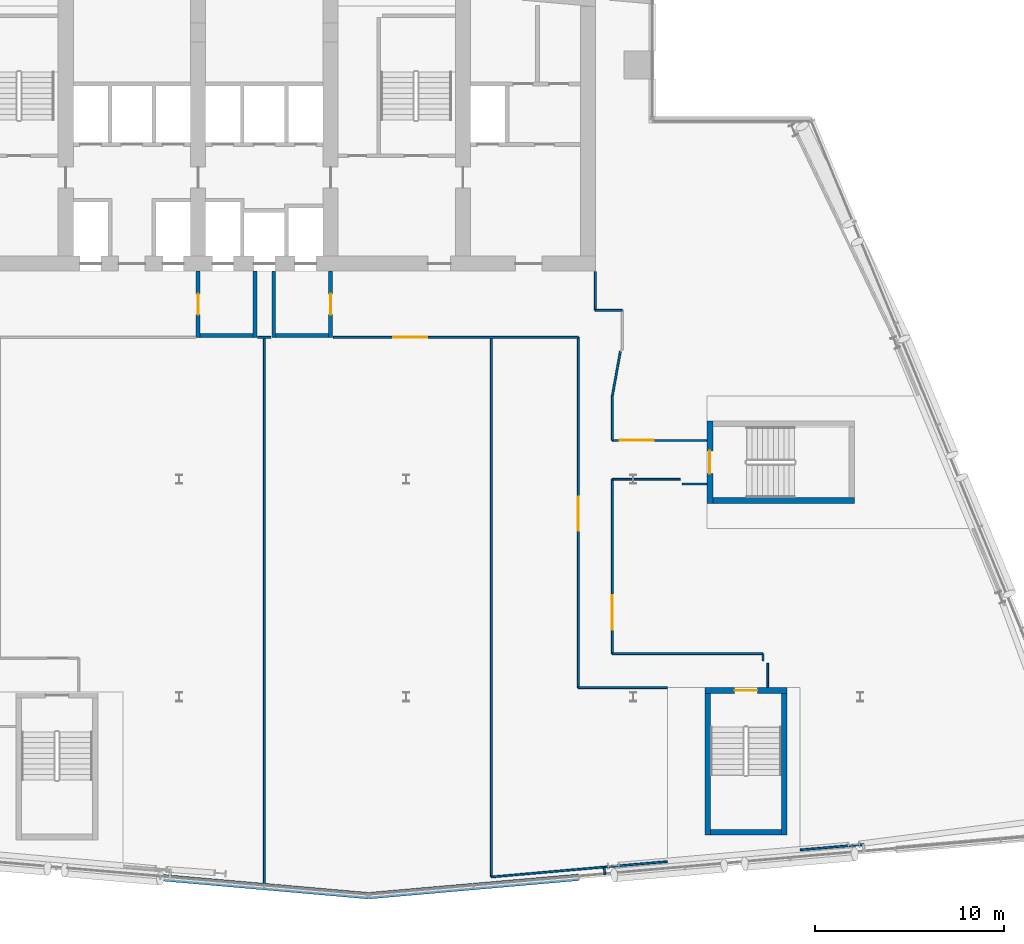
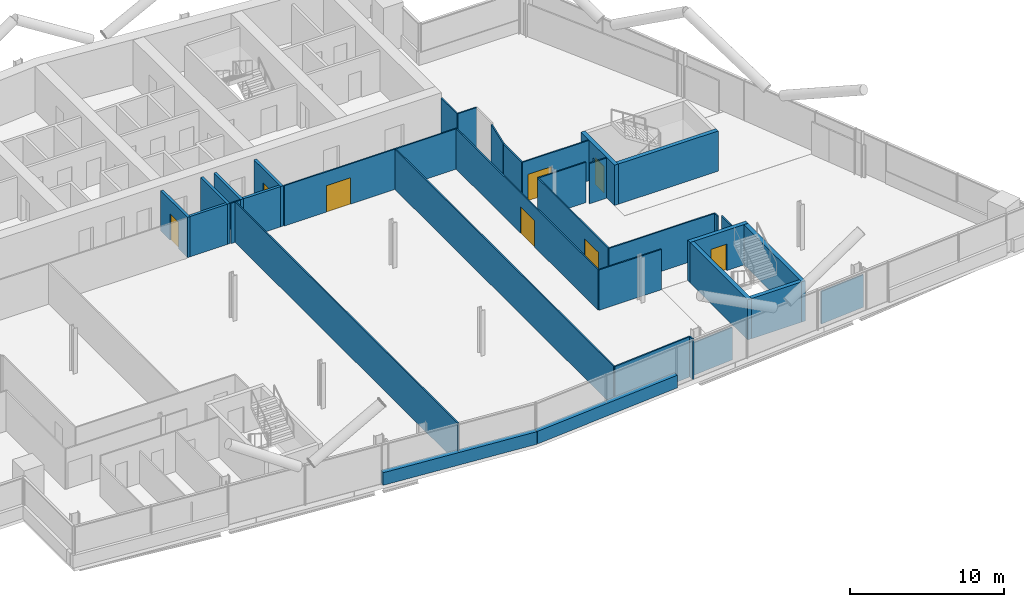
# One storey, part 15 of 26: 35 walls, 8 doors, 8 openings.
"""IFC4 building model written with IfcOpenShell, lengths in metres."""

from ifc_helpers import new_model, si_unit, direction, frame, frame_2d, origin, place, context, subcontext, project, spatial, rectangle, extrude, material, layer, layer_set, type_object, element, fill, save


model = new_model("IFC4")

# Units and contexts
model_context = context("Model", 3, precision=1e-05, world=origin(), true_north=direction((0.0, 1.0)))
body_context = subcontext(model_context, "Body", "Model", "MODEL_VIEW")
ifc_project = project(units=[si_unit("LENGTHUNIT", "METRE"), si_unit("AREAUNIT", "SQUARE_METRE"), si_unit("VOLUMEUNIT", "CUBIC_METRE"), si_unit("PLANEANGLEUNIT", "RADIAN"), si_unit("MASSUNIT", "GRAM", prefix="KILO")], contexts=[model_context])

# Site, building, storey
site_placement = place(None, origin())
site = spatial("IfcSite", under=ifc_project, at=site_placement, CompositionType="ELEMENT")
building_placement = place(site_placement, origin())
building = spatial("IfcBuilding", under=site, at=building_placement, Name="Wharfspan Tower", CompositionType="ELEMENT")
storey_placement = place(building_placement, frame((0.0, 0.0, 180.699951)))
storey = spatial("IfcBuildingStorey", under=building, at=storey_placement, Name="L44", CompositionType="ELEMENT", Elevation=180.699951)

# Walls
ifc_material_1 = material(Name="Gypsum board on steel studs", Category="steel")
ifc_layer_1 = layer(ifc_material_1, 0.100098)
ifc_layer_set_1 = layer_set([ifc_layer_1], Name="Gypsum board on steel studs")
wall_type_1 = type_object("IfcWallType", Name="Compartment wall 100 EI 60", PredefinedType="PARTITIONING", material=ifc_layer_set_1)
wall_1_placement = place(storey_placement, frame((40.5, 1.489258, 0.0), z_axis=(0.0, 0.0, 1.0), x_axis=(0.0, 1.0, 0.0)))
element("IfcWall", 1, at=wall_1_placement, inside=storey, type_object=wall_type_1, Name="Partition L44.w025", PredefinedType="PARTITIONING", context=body_context, shape_type="SweptSolid", body=[
    extrude(rectangle(XDim=29.010742, YDim=0.100098, at=frame_2d((14.505371, 0.0))), origin(), (0.0, 0.0, 1.0), 3.199951),
])
wall_2_placement = place(storey_placement, frame((52.5, 1.97998, 0.0), z_axis=(0.0, 0.0, 1.0), x_axis=(0.0, 1.0, 0.0)))
element("IfcWall", 2, at=wall_2_placement, inside=storey, type_object=wall_type_1, Name="Partition L44.w026", PredefinedType="PARTITIONING", context=body_context, shape_type="SweptSolid", body=[
    extrude(rectangle(XDim=28.52002, YDim=0.100098, at=frame_2d((14.26001, 0.0))), origin(), (0.0, 0.0, 1.0), 3.199951),
])

# Wall, opening, door
wall_3_placement = place(storey_placement, frame((57.100098, 11.985107, 0.0), z_axis=(0.0, 0.0, 1.0), x_axis=(0.0, 1.0, 0.0)))
wall_3 = element("IfcWall", 3, at=wall_3_placement, inside=storey, type_object=wall_type_1, Name="Partition L44.w029", PredefinedType="PARTITIONING", context=body_context, shape_type="SweptSolid", body=[
    extrude(rectangle(XDim=18.514893, YDim=0.100098, at=frame_2d((9.257324, 0.0))), origin(), (0.0, 0.0, 1.0), 3.199951),
])
opening_1_placement = place(wall_3_placement, frame((8.294922, 0.0, 0.0)))
opening_1 = element("IfcOpeningElement", 4, at=opening_1_placement, cuts=wall_3, Name="Opening C4-08", PredefinedType="OPENING", context=body_context, shape_type="SweptSolid", body=[
    extrude(rectangle(XDim=1.800049, YDim=2.100098, at=frame_2d((0.899902, 1.050049))), frame((0.0, 0.060059, 0.0), z_axis=(0.0, -1.0, 0.0), x_axis=(1.0, 0.0, 0.0)), (0.0, 0.0, 1.0), 0.120117),
])
ifc_material_2 = material(Name="Fire-rated timber door leaf in steel frame", Category="steel")
door_type_1 = type_object("IfcDoorType", Name="Door 1800 FD30S Double", OperationType="DOUBLE_DOOR_SINGLE_SWING", PredefinedType="DOOR", material=ifc_material_2)
door_1_placement = place(opening_1_placement, origin())
door_1 = element("IfcDoor", 5, at=door_1_placement, inside=storey, type_object=door_type_1, Name="Door C4-08", OperationType="DOUBLE_DOOR_SINGLE_SWING", OverallHeight=2.100098, OverallWidth=1.800049, PredefinedType="DOOR", context=body_context, shape_type="SweptSolid", body=[
    extrude(rectangle(XDim=1.800049, YDim=2.100098, at=frame_2d((0.899902, 1.050049))), frame((0.0, 0.024902, 0.0), z_axis=(0.0, -1.0, 0.0), x_axis=(1.0, 0.0, 0.0)), (0.0, 0.0, 1.0), 0.050049),
])
fill(opening_1, door_1)

# Walls
wall_4_placement = place(storey_placement, frame((57.100098, 11.985107, 0.0), z_axis=(0.0, 0.0, 1.0), x_axis=(1.0, 0.0, 0.0)))
element("IfcWall", 6, at=wall_4_placement, inside=storey, type_object=wall_type_1, Name="Partition L44.w030", PredefinedType="PARTITIONING", context=body_context, shape_type="SweptSolid", body=[
    extrude(rectangle(XDim=4.691406, YDim=0.100098, at=frame_2d((2.345703, 0.0))), origin(), (0.0, 0.0, 1.0), 3.199951),
])
wall_5_placement = place(storey_placement, frame((58.0, 31.925049, 0.0), z_axis=(0.0, 0.0, 1.0), x_axis=(0.0, 1.0, 0.0)))
element("IfcWall", 7, at=wall_5_placement, inside=storey, type_object=wall_type_1, Name="Partition L44.w031", PredefinedType="PARTITIONING", context=body_context, shape_type="SweptSolid", body=[
    extrude(rectangle(XDim=2.054932, YDim=0.100098, at=frame_2d((1.027344, 0.0))), origin(), (0.0, 0.0, 1.0), 3.199951),
])
wall_6_placement = place(storey_placement, frame((58.0, 31.925049, 0.0), z_axis=(0.0, 0.0, 1.0), x_axis=(1.0, 0.0, 0.0)))
element("IfcWall", 8, at=wall_6_placement, inside=storey, type_object=wall_type_1, Name="Partition L44.w032", PredefinedType="PARTITIONING", context=body_context, shape_type="SweptSolid", body=[
    extrude(rectangle(XDim=1.425049, YDim=0.100098, at=frame_2d((0.712402, 0.0))), origin(), (0.0, 0.0, 1.0), 3.199951),
])

# Wall, opening, door
wall_7_placement = place(storey_placement, frame((58.899902, 13.784912, 0.0), z_axis=(0.0, 0.0, 1.0), x_axis=(0.0, 1.0, 0.0)))
wall_7 = element("IfcWall", 9, at=wall_7_placement, inside=storey, type_object=wall_type_1, Name="Partition L44.w035", PredefinedType="PARTITIONING", context=body_context, shape_type="SweptSolid", body=[
    extrude(rectangle(XDim=9.215088, YDim=0.100098, at=frame_2d((4.607422, 0.0))), origin(), (0.0, 0.0, 1.0), 3.199951),
])
opening_2_placement = place(wall_7_placement, frame((1.27124, 0.0, 0.0)))
opening_2 = element("IfcOpeningElement", 10, at=opening_2_placement, cuts=wall_7, Name="Opening C4-07", PredefinedType="OPENING", context=body_context, shape_type="SweptSolid", body=[
    extrude(rectangle(XDim=1.800049, YDim=2.100098, at=frame_2d((0.899902, 1.050049))), frame((0.0, 0.060059, 0.0), z_axis=(0.0, -1.0, 0.0), x_axis=(1.0, 0.0, 0.0)), (0.0, 0.0, 1.0), 0.120117),
])
door_2_placement = place(opening_2_placement, origin())
door_2 = element("IfcDoor", 11, at=door_2_placement, inside=storey, type_object=door_type_1, Name="Door C4-07", OperationType="DOUBLE_DOOR_SINGLE_SWING", OverallHeight=2.100098, OverallWidth=1.800049, PredefinedType="DOOR", context=body_context, shape_type="SweptSolid", body=[
    extrude(rectangle(XDim=1.800049, YDim=2.100098, at=frame_2d((0.899902, 1.050049))), frame((0.0, 0.024902, 0.0), z_axis=(0.0, -1.0, 0.0), x_axis=(1.0, 0.0, 0.0)), (0.0, 0.0, 1.0), 0.050049),
])
fill(opening_2, door_2)

# Walls
wall_8_placement = place(storey_placement, frame((58.899902, 13.784912, 0.0), z_axis=(0.0, 0.0, 1.0), x_axis=(1.0, 0.0, 0.0)))
element("IfcWall", 12, at=wall_8_placement, inside=storey, type_object=wall_type_1, Name="Partition L44.w036", PredefinedType="PARTITIONING", context=body_context, shape_type="SweptSolid", body=[
    extrude(rectangle(XDim=7.960205, YDim=0.100098, at=frame_2d((3.97998, 0.0))), origin(), (0.0, 0.0, 1.0), 3.199951),
])
wall_9_placement = place(storey_placement, frame((58.899902, 23.0, 0.0), z_axis=(0.0, 0.0, 1.0), x_axis=(1.0, 0.0, 0.0)))
element("IfcWall", 13, at=wall_9_placement, inside=storey, type_object=wall_type_1, Name="Partition L44.w037", PredefinedType="PARTITIONING", context=body_context, shape_type="SweptSolid", body=[
    extrude(rectangle(XDim=3.585205, YDim=0.100098, at=frame_2d((1.79248, 0.0))), origin(), (0.0, 0.0, 1.0), 3.199951),
])
wall_10_placement = place(storey_placement, frame((58.899902, 25.050049, 0.0), z_axis=(0.0, 0.0, 1.0), x_axis=(0.0, 1.0, 0.0)))
element("IfcWall", 14, at=wall_10_placement, inside=storey, type_object=wall_type_1, Name="Partition L44.w038", PredefinedType="PARTITIONING", context=body_context, shape_type="SweptSolid", body=[
    extrude(rectangle(XDim=2.38501, YDim=0.100098, at=frame_2d((1.192383, 0.0))), origin(), (0.0, 0.0, 1.0), 3.199951),
])

# Wall, opening, door
wall_11_placement = place(storey_placement, frame((58.899902, 25.050049, 0.0), z_axis=(0.0, 0.0, 1.0), x_axis=(1.0, 0.0, 0.0)))
wall_11 = element("IfcWall", 15, at=wall_11_placement, inside=storey, type_object=wall_type_1, Name="Partition L44.w039", PredefinedType="PARTITIONING", context=body_context, shape_type="SweptSolid", body=[
    extrude(rectangle(XDim=4.984619, YDim=0.100098, at=frame_2d((2.492188, 0.0))), origin(), (0.0, 0.0, 1.0), 3.199951),
])
opening_3_placement = place(wall_11_placement, frame((0.38501, 0.0, 0.0)))
opening_3 = element("IfcOpeningElement", 16, at=opening_3_placement, cuts=wall_11, Name="Opening C4-09", PredefinedType="OPENING", context=body_context, shape_type="SweptSolid", body=[
    extrude(rectangle(XDim=1.800049, YDim=2.100098, at=frame_2d((0.899902, 1.050049))), frame((0.0, 0.060059, 0.0), z_axis=(0.0, -1.0, 0.0), x_axis=(1.0, 0.0, 0.0)), (0.0, 0.0, 1.0), 0.120117),
])
door_3_placement = place(opening_3_placement, origin())
door_3 = element("IfcDoor", 17, at=door_3_placement, inside=storey, type_object=door_type_1, Name="Door C4-09", OperationType="DOUBLE_DOOR_SINGLE_SWING", OverallHeight=2.100098, OverallWidth=1.800049, PredefinedType="DOOR", context=body_context, shape_type="SweptSolid", body=[
    extrude(rectangle(XDim=1.800049, YDim=2.100098, at=frame_2d((0.899902, 1.050049))), frame((0.0, 0.024902, 0.0), z_axis=(0.0, -1.0, 0.0), x_axis=(1.0, 0.0, 0.0)), (0.0, 0.0, 1.0), 0.050049),
])
fill(opening_3, door_3)

# Walls
wall_12_placement = place(storey_placement, frame((58.899902, 27.435059, 0.0), z_axis=(0.0, 0.0, 1.0), x_axis=(0.178584, 0.983924, 0.0)))
element("IfcWall", 18, at=wall_12_placement, inside=storey, type_object=wall_type_1, Name="Partition L44.w040", PredefinedType="PARTITIONING", context=body_context, shape_type="SweptSolid", body=[
    extrude(rectangle(XDim=2.352783, YDim=0.100098, at=frame_2d((1.17627, 0.0))), origin(), (0.0, 0.0, 1.0), 3.199951),
])
wall_13_placement = place(storey_placement, frame((62.60498, 22.75, 0.0), z_axis=(0.0, 0.0, 1.0), x_axis=(1.0, 0.0, 0.0)))
element("IfcWall", 19, at=wall_13_placement, inside=storey, type_object=wall_type_1, Name="Partition L44.w043", PredefinedType="PARTITIONING", context=body_context, shape_type="SweptSolid", body=[
    extrude(rectangle(XDim=1.279541, YDim=0.100098, at=frame_2d((0.639648, 0.0))), origin(), (0.0, 0.0, 1.0), 3.199951),
])
wall_14_placement = place(storey_placement, frame((66.860107, 13.405029, 0.0), z_axis=(0.0, 0.0, 1.0), x_axis=(0.0, 1.0, 0.0)))
element("IfcWall", 20, at=wall_14_placement, inside=storey, type_object=wall_type_1, Name="Partition L44.w044", PredefinedType="PARTITIONING", context=body_context, shape_type="SweptSolid", body=[
    extrude(rectangle(XDim=0.379883, YDim=0.100098, at=frame_2d((0.189941, 0.0))), origin(), (0.0, 0.0, 1.0), 3.199951),
])
wall_15_placement = place(storey_placement, frame((67.110107, 12.003662, 0.0), z_axis=(0.0, 0.0, 1.0), x_axis=(0.0, 1.0, 0.0)))
element("IfcWall", 21, at=wall_15_placement, inside=storey, type_object=wall_type_1, Name="Partition L44.w045", PredefinedType="PARTITIONING", context=body_context, shape_type="SweptSolid", body=[
    extrude(rectangle(XDim=1.28125, YDim=0.100098, at=frame_2d((0.640625, 0.0))), origin(), (0.0, 0.0, 1.0), 3.199951),
])
wall_16_placement = place(storey_placement, frame((40.149902, 30.5, 0.0), z_axis=(0.0, 0.0, 1.0), x_axis=(1.0, 0.0, 0.0)))
element("IfcWall", 22, at=wall_16_placement, inside=storey, type_object=wall_type_1, Name="Partition L44.w009 (2)", PredefinedType="PARTITIONING", context=body_context, shape_type="SweptSolid", body=[
    extrude(rectangle(XDim=0.700195, YDim=0.100098, at=frame_2d((0.350098, 0.0))), origin(), (0.0, 0.0, 1.0), 3.199951),
])

# Wall, opening, door
wall_17_placement = place(storey_placement, frame((44.149902, 30.5, 0.0), z_axis=(0.0, 0.0, 1.0), x_axis=(1.0, 0.0, 0.0)))
wall_17 = element("IfcWall", 23, at=wall_17_placement, inside=storey, type_object=wall_type_1, Name="Partition L44.w009 (3)", PredefinedType="PARTITIONING", context=body_context, shape_type="SweptSolid", body=[
    extrude(rectangle(XDim=12.950195, YDim=0.100098, at=frame_2d((6.475098, 0.0))), origin(), (0.0, 0.0, 1.0), 3.199951),
])
opening_4_placement = place(wall_17_placement, frame((3.169922, 0.0, 0.0)))
opening_4 = element("IfcOpeningElement", 24, at=opening_4_placement, cuts=wall_17, Name="Opening C4-11", PredefinedType="OPENING", context=body_context, shape_type="SweptSolid", body=[
    extrude(rectangle(XDim=1.800049, YDim=2.100098, at=frame_2d((0.899902, 1.050049))), frame((0.0, 0.060059, 0.0), z_axis=(0.0, -1.0, 0.0), x_axis=(1.0, 0.0, 0.0)), (0.0, 0.0, 1.0), 0.120117),
])
door_4_placement = place(opening_4_placement, origin())
door_4 = element("IfcDoor", 25, at=door_4_placement, inside=storey, type_object=door_type_1, Name="Door C4-11", OperationType="DOUBLE_DOOR_SINGLE_SWING", OverallHeight=2.100098, OverallWidth=1.800049, PredefinedType="DOOR", context=body_context, shape_type="SweptSolid", body=[
    extrude(rectangle(XDim=1.800049, YDim=2.100098, at=frame_2d((0.899902, 1.050049))), frame((0.0, 0.024902, 0.0), z_axis=(0.0, -1.0, 0.0), x_axis=(1.0, 0.0, 0.0)), (0.0, 0.0, 1.0), 0.050049),
])
fill(opening_4, door_4)

ifc_material_3 = material(Name="Concrete C30/37", Category="concrete")
ifc_layer_2 = layer(ifc_material_3, 0.199951)
ifc_layer_set_2 = layer_set([ifc_layer_2], Name="Concrete C30/37")
wall_type_2 = type_object("IfcWallType", Name="Lobby wall 200", PredefinedType="PARTITIONING", material=ifc_layer_set_2)
wall_18_placement = place(storey_placement, frame((37.0, 30.5, 0.0), z_axis=(0.0, 0.0, 1.0), x_axis=(0.0, 1.0, 0.0)))
wall_18 = element("IfcWall", 26, at=wall_18_placement, inside=storey, type_object=wall_type_2, Name="sw:L44:FLFF1W", PredefinedType="PARTITIONING", context=body_context, shape_type="SweptSolid", body=[
    extrude(rectangle(XDim=3.5, YDim=0.199951, at=frame_2d((1.75, 0.0))), origin(), (0.0, 0.0, 1.0), 3.199951),
])
opening_5_placement = place(wall_18_placement, frame((1.199951, 0.0, 0.0)))
opening_5 = element("IfcOpeningElement", 27, at=opening_5_placement, cuts=wall_18, Name="Opening FL.FF1.L44", PredefinedType="OPENING", context=body_context, shape_type="SweptSolid", body=[
    extrude(rectangle(XDim=1.100098, YDim=2.100098, at=frame_2d((0.550049, 1.050049))), frame((0.0, 0.109863, 0.0), z_axis=(0.0, -1.0, 0.0), x_axis=(1.0, 0.0, 0.0)), (0.0, 0.0, 1.0), 0.219971),
])
ifc_material_4 = material(Name="Steel door leaf", Category="steel")
door_type_2 = type_object("IfcDoorType", Name="Firefighting lobby door 1100x2100", OperationType="SINGLE_SWING_LEFT", PredefinedType="DOOR", material=ifc_material_4)
door_5_placement = place(opening_5_placement, origin())
door_5 = element("IfcDoor", 28, at=door_5_placement, inside=storey, type_object=door_type_2, Name="fd:L44:FF1", OperationType="SINGLE_SWING_LEFT", OverallHeight=2.100098, OverallWidth=1.100098, PredefinedType="DOOR", context=body_context, shape_type="SweptSolid", body=[
    extrude(rectangle(XDim=1.100098, YDim=2.100098, at=frame_2d((0.550049, 1.050049))), frame((0.0, 0.024902, 0.0), z_axis=(0.0, -1.0, 0.0), x_axis=(1.0, 0.0, 0.0)), (0.0, 0.0, 1.0), 0.050049),
])
fill(opening_5, door_5)

# Walls
wall_19_placement = place(storey_placement, frame((40.0, 30.5, 0.0), z_axis=(0.0, 0.0, 1.0), x_axis=(0.0, 1.0, 0.0)))
element("IfcWall", 29, at=wall_19_placement, inside=storey, type_object=wall_type_2, Name="sw:L44:FLFF1E", PredefinedType="PARTITIONING", context=body_context, shape_type="SweptSolid", body=[
    extrude(rectangle(XDim=3.5, YDim=0.199951, at=frame_2d((1.75, 0.0))), origin(), (0.0, 0.0, 1.0), 3.199951),
])
wall_20_placement = place(storey_placement, frame((37.100098, 30.600098, 0.0), z_axis=(0.0, 0.0, 1.0), x_axis=(1.0, 0.0, 0.0)))
element("IfcWall", 30, at=wall_20_placement, inside=storey, type_object=wall_type_2, Name="sw:L44:FLFF1F", PredefinedType="PARTITIONING", context=body_context, shape_type="SweptSolid", body=[
    extrude(rectangle(XDim=2.799805, YDim=0.199951, at=frame_2d((1.399902, 0.0))), origin(), (0.0, 0.0, 1.0), 3.199951),
])
wall_21_placement = place(storey_placement, frame((41.0, 30.5, 0.0), z_axis=(0.0, 0.0, 1.0), x_axis=(0.0, 1.0, 0.0)))
element("IfcWall", 31, at=wall_21_placement, inside=storey, type_object=wall_type_2, Name="sw:L44:FLFF2W", PredefinedType="PARTITIONING", context=body_context, shape_type="SweptSolid", body=[
    extrude(rectangle(XDim=3.5, YDim=0.199951, at=frame_2d((1.75, 0.0))), origin(), (0.0, 0.0, 1.0), 3.199951),
])

# Wall, opening, door
wall_22_placement = place(storey_placement, frame((44.0, 30.5, 0.0), z_axis=(0.0, 0.0, 1.0), x_axis=(0.0, 1.0, 0.0)))
wall_22 = element("IfcWall", 32, at=wall_22_placement, inside=storey, type_object=wall_type_2, Name="sw:L44:FLFF2E", PredefinedType="PARTITIONING", context=body_context, shape_type="SweptSolid", body=[
    extrude(rectangle(XDim=3.5, YDim=0.199951, at=frame_2d((1.75, 0.0))), origin(), (0.0, 0.0, 1.0), 3.199951),
])
opening_6_placement = place(wall_22_placement, frame((1.199951, 0.0, 0.0)))
opening_6 = element("IfcOpeningElement", 33, at=opening_6_placement, cuts=wall_22, Name="Opening FL.FF2.L44", PredefinedType="OPENING", context=body_context, shape_type="SweptSolid", body=[
    extrude(rectangle(XDim=1.100098, YDim=2.100098, at=frame_2d((0.550049, 1.050049))), frame((0.0, 0.109863, 0.0), z_axis=(0.0, -1.0, 0.0), x_axis=(1.0, 0.0, 0.0)), (0.0, 0.0, 1.0), 0.219971),
])
door_6_placement = place(opening_6_placement, origin())
door_6 = element("IfcDoor", 34, at=door_6_placement, inside=storey, type_object=door_type_2, Name="fd:L44:FF2", OperationType="SINGLE_SWING_LEFT", OverallHeight=2.100098, OverallWidth=1.100098, PredefinedType="DOOR", context=body_context, shape_type="SweptSolid", body=[
    extrude(rectangle(XDim=1.100098, YDim=2.100098, at=frame_2d((0.550049, 1.050049))), frame((0.0, 0.024902, 0.0), z_axis=(0.0, -1.0, 0.0), x_axis=(1.0, 0.0, 0.0)), (0.0, 0.0, 1.0), 0.050049),
])
fill(opening_6, door_6)

# Walls
wall_23_placement = place(storey_placement, frame((41.100098, 30.600098, 0.0), z_axis=(0.0, 0.0, 1.0), x_axis=(1.0, 0.0, 0.0)))
element("IfcWall", 35, at=wall_23_placement, inside=storey, type_object=wall_type_2, Name="sw:L44:FLFF2F", PredefinedType="PARTITIONING", context=body_context, shape_type="SweptSolid", body=[
    extrude(rectangle(XDim=2.799805, YDim=0.199951, at=frame_2d((1.399902, 0.0))), origin(), (0.0, 0.0, 1.0), 3.199951),
])
ifc_layer_3 = layer(ifc_material_1, 0.100098)
ifc_layer_set_3 = layer_set([ifc_layer_3], Name="Gypsum board on steel studs")
wall_type_3 = type_object("IfcWallType", Name="Partition 100", PredefinedType="PARTITIONING", material=ifc_layer_set_3)
wall_24_placement = place(storey_placement, frame((52.5, 1.975098, 0.0), z_axis=(0.0, 0.0, 1.0), x_axis=(0.99615, 0.087657, 0.0)))
element("IfcWall", 36, at=wall_24_placement, inside=storey, type_object=wall_type_3, Name="Partition L44.w028", PredefinedType="PARTITIONING", context=body_context, shape_type="SweptSolid", body=[
    extrude(rectangle(XDim=5.988037, YDim=0.100098, at=frame_2d((2.994141, 0.0))), origin(), (0.0, 0.0, 1.0), 3.199951),
])
wall_25_placement = place(storey_placement, frame((58.465088, 2.5, 0.0), z_axis=(0.0, 0.0, 1.0), x_axis=(0.996263, 0.086355, 0.0)))
element("IfcWall", 37, at=wall_25_placement, inside=storey, type_object=wall_type_3, Name="Partition L44.w033", PredefinedType="PARTITIONING", context=body_context, shape_type="SweptSolid", body=[
    extrude(rectangle(XDim=3.338867, YDim=0.100098, at=frame_2d((1.669434, 0.0))), origin(), (0.0, 0.0, 1.0), 2.580078),
])
wall_26_placement = place(storey_placement, frame((58.498291, 2.101562, 0.0), z_axis=(0.0, 0.0, 1.0), x_axis=(-0.083045, 0.996542, 0.0)))
element("IfcWall", 38, at=wall_26_placement, inside=storey, type_object=wall_type_3, Name="Partition L44.w034", PredefinedType="PARTITIONING", context=body_context, shape_type="SweptSolid", body=[
    extrude(rectangle(XDim=0.399902, YDim=0.100098, at=frame_2d((0.199951, 0.0))), origin(), (0.0, 0.0, 1.0), 3.199951),
])
wall_27_placement = place(storey_placement, frame((68.831299, 3.406738, 0.0), z_axis=(0.0, 0.0, 1.0), x_axis=(0.996283, 0.086167, 0.0)))
element("IfcWall", 39, at=wall_27_placement, inside=storey, type_object=wall_type_3, Name="Partition L44.w046", PredefinedType="PARTITIONING", context=body_context, shape_type="SweptSolid", body=[
    extrude(rectangle(XDim=3.346191, YDim=0.100098, at=frame_2d((1.673096, 0.0))), origin(), (0.0, 0.0, 1.0), 2.580078),
])
ifc_material_5 = material(Name="Concrete C40/50", Category="concrete")
ifc_layer_4 = layer(ifc_material_5, 0.350098)
ifc_layer_set_4 = layer_set([ifc_layer_4], Name="Concrete C40/50")
wall_type_4 = type_object("IfcWallType", Name="SPANDREL EXPOSED CONCRETE 350", PredefinedType="SOLIDWALL", material=ifc_layer_set_4)
wall_28_placement = place(storey_placement, frame((35.029541, 1.942627, 0.0), z_axis=(0.0, 0.0, 1.0), x_axis=(0.996199, -0.08714, 0.0)))
element("IfcWall", 40, at=wall_28_placement, inside=storey, type_object=wall_type_4, Name="Spandrel upstand L44 S1 2", PredefinedType="SOLIDWALL", context=body_context, shape_type="SweptSolid", body=[
    extrude(rectangle(XDim=11.027588, YDim=0.350098, at=frame_2d((5.513672, 0.0))), origin(), (0.0, 0.0, 1.0), 1.0),
])
wall_29_placement = place(storey_placement, frame((46.04541, 0.986816, 0.0), z_axis=(0.0, 0.0, 1.0), x_axis=(0.996193, 0.087171, 0.0)))
element("IfcWall", 41, at=wall_29_placement, inside=storey, type_object=wall_type_4, Name="Spandrel upstand L44 S2 1", PredefinedType="SOLIDWALL", context=body_context, shape_type="SweptSolid", body=[
    extrude(rectangle(XDim=11.110352, YDim=0.350098, at=frame_2d((5.555176, 0.0))), origin(), (0.0, 0.0, 1.0), 1.0),
])

# Wall, opening, door
ifc_layer_5 = layer(ifc_material_5, 0.300049)
ifc_layer_set_5 = layer_set([ifc_layer_5], Name="Concrete C40/50")
wall_type_5 = type_object("IfcWallType", Name="Stair core wall 300", PredefinedType="SHEAR", material=ifc_layer_set_5)
wall_30_placement = place(storey_placement, frame((63.786377, 11.83374, 0.0), z_axis=(0.0, 0.0, 1.0), x_axis=(1.0, 0.0, 0.0)))
wall_30 = element("IfcWall", 42, at=wall_30_placement, inside=storey, type_object=wall_type_5, Name="ST5 stair enclosure wall L44", PredefinedType="SHEAR", context=body_context, shape_type="SweptSolid", body=[
    extrude(rectangle(XDim=4.350098, YDim=0.300049, at=frame_2d((2.175049, 0.0))), origin(), (0.0, 0.0, 1.0), 3.199951),
])
opening_7_placement = place(wall_30_placement, frame((1.574951, 0.0, 0.0)))
opening_7 = element("IfcOpeningElement", 43, at=opening_7_placement, cuts=wall_30, Name="Opening SD5.L44", PredefinedType="OPENING", context=body_context, shape_type="SweptSolid", body=[
    extrude(rectangle(XDim=1.199951, YDim=2.100098, at=frame_2d((0.600098, 1.050049))), frame((0.0, 0.159912, 0.0), z_axis=(0.0, -1.0, 0.0), x_axis=(1.0, 0.0, 0.0)), (0.0, 0.0, 1.0), 0.320068),
])
door_type_3 = type_object("IfcDoorType", Name="Stair door 1200x2100", OperationType="SINGLE_SWING_LEFT", PredefinedType="DOOR", material=ifc_material_4)
door_7_placement = place(opening_7_placement, origin())
door_7 = element("IfcDoor", 44, at=door_7_placement, inside=storey, type_object=door_type_3, Name="sd:L44:ST5z3", OperationType="SINGLE_SWING_RIGHT", OverallHeight=2.100098, OverallWidth=1.199951, PredefinedType="DOOR", context=body_context, shape_type="SweptSolid", body=[
    extrude(rectangle(XDim=1.199951, YDim=2.100098, at=frame_2d((0.600098, 1.050049))), frame((0.0, 0.024902, 0.0), z_axis=(0.0, -1.0, 0.0), x_axis=(1.0, 0.0, 0.0)), (0.0, 0.0, 1.0), 0.050049),
])
fill(opening_7, door_7)

wall_31_placement = place(storey_placement, frame((64.054688, 21.725098, 0.0), z_axis=(0.0, 0.0, 1.0), x_axis=(0.0, 1.0, 0.0)))
wall_31 = element("IfcWall", 45, at=wall_31_placement, inside=storey, type_object=wall_type_5, Name="ST6 stair enclosure wall L44", PredefinedType="SHEAR", context=body_context, shape_type="SweptSolid", body=[
    extrude(rectangle(XDim=4.349854, YDim=0.300049, at=frame_2d((2.174805, 0.0))), origin(), (0.0, 0.0, 1.0), 3.199951),
])
opening_8_placement = place(wall_31_placement, frame((1.574951, 0.0, 0.0)))
opening_8 = element("IfcOpeningElement", 46, at=opening_8_placement, cuts=wall_31, Name="Opening SD6.L44", PredefinedType="OPENING", context=body_context, shape_type="SweptSolid", body=[
    extrude(rectangle(XDim=1.199951, YDim=2.100098, at=frame_2d((0.600098, 1.050049))), frame((0.0, 0.159912, 0.0), z_axis=(0.0, -1.0, 0.0), x_axis=(1.0, 0.0, 0.0)), (0.0, 0.0, 1.0), 0.320068),
])
door_8_placement = place(opening_8_placement, origin())
door_8 = element("IfcDoor", 47, at=door_8_placement, inside=storey, type_object=door_type_3, Name="sd:L44:ST6z3", OperationType="SINGLE_SWING_RIGHT", OverallHeight=2.100098, OverallWidth=1.199951, PredefinedType="DOOR", context=body_context, shape_type="SweptSolid", body=[
    extrude(rectangle(XDim=1.199951, YDim=2.100098, at=frame_2d((0.600098, 1.050049))), frame((0.0, 0.024902, 0.0), z_axis=(0.0, -1.0, 0.0), x_axis=(1.0, 0.0, 0.0)), (0.0, 0.0, 1.0), 0.050049),
])
fill(opening_8, door_8)

# Walls
for number, where, z_axis, x_axis, name in (
    (48, (63.936279, 4.183594, 0.0), (0.0, 0.0, 1.0), (0.0, 1.0, 0.0), "ST5 stair enclosure wall L44"),
    (49, (67.986328, 4.183594, 0.0), (0.0, 0.0, 1.0), (0.0, 1.0, 0.0), "ST5 stair enclosure wall L44"),
):
    element("IfcWall", number, at=place(storey_placement, frame(where, z_axis=z_axis, x_axis=x_axis)), inside=storey, type_object=wall_type_5, Name=name, PredefinedType="SHEAR", context=body_context, shape_type="SweptSolid", body=[
        extrude(rectangle(XDim=7.5, YDim=0.300049, at=frame_2d((3.75, 0.0))), origin(), (0.0, 0.0, 1.0), 3.199951),
    ])
wall_32_placement = place(storey_placement, frame((64.086426, 4.33374, 0.0), z_axis=(0.0, 0.0, 1.0), x_axis=(1.0, 0.0, 0.0)))
element("IfcWall", 50, at=wall_32_placement, inside=storey, type_object=wall_type_5, Name="ST5 stair enclosure wall L44", PredefinedType="SHEAR", context=body_context, shape_type="SweptSolid", body=[
    extrude(rectangle(XDim=3.75, YDim=0.300049, at=frame_2d((1.875, 0.0))), origin(), (0.0, 0.0, 1.0), 3.199951),
])
wall_33_placement = place(storey_placement, frame((64.20459, 21.875, 0.0), z_axis=(0.0, 0.0, 1.0), x_axis=(1.0, 0.0, 0.0)))
element("IfcWall", 51, at=wall_33_placement, inside=storey, type_object=wall_type_5, Name="ST6 stair enclosure wall L44", PredefinedType="SHEAR", context=body_context, shape_type="SweptSolid", body=[
    extrude(rectangle(XDim=7.5, YDim=0.300049, at=frame_2d((3.75, 0.0))), origin(), (0.0, 0.0, 1.0), 3.199951),
])

save(model, "model.ifc")
